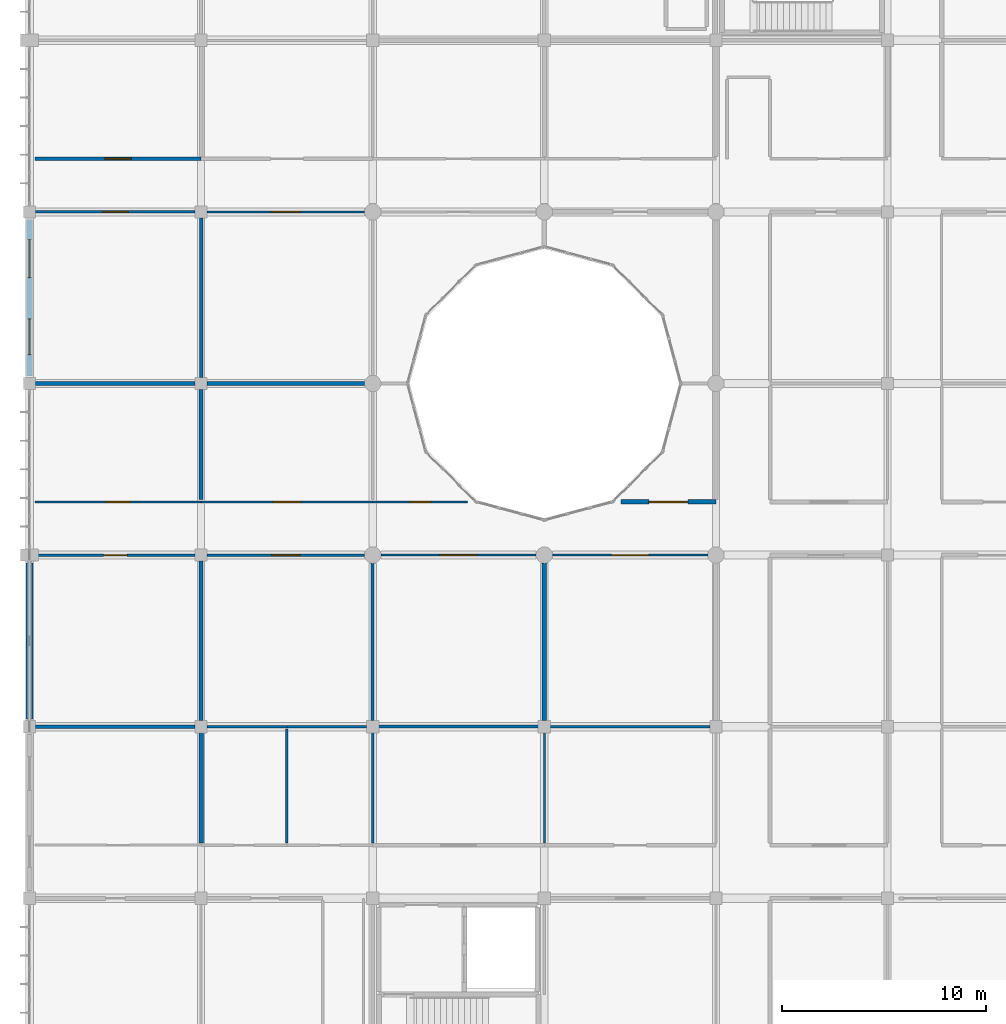
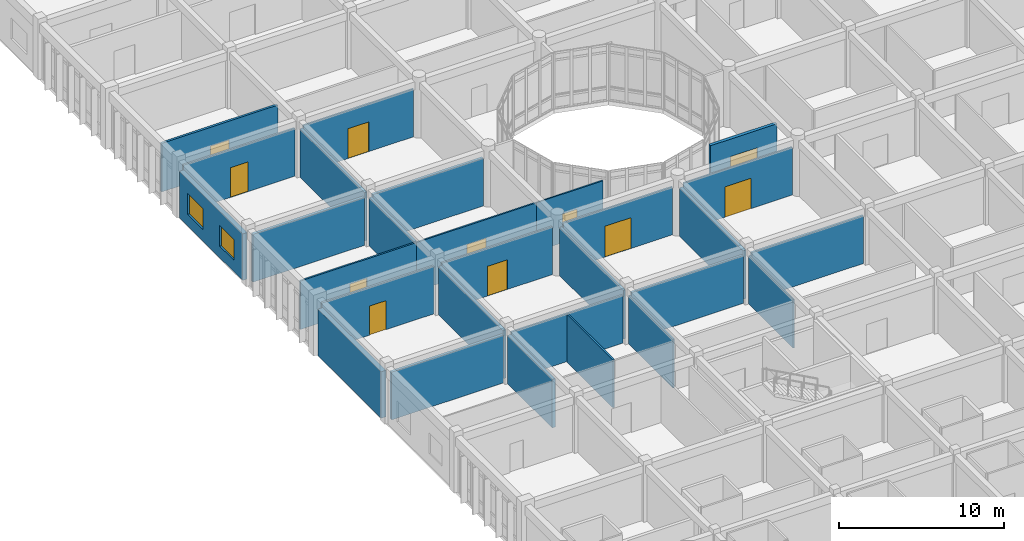
# One storey, part 106 of 144: 29 walls, 11 doors, 2 windows, 13 openings.
"""IFC4 building model written with IfcOpenShell, lengths in metres."""

from ifc_helpers import new_model, si_unit, direction, frame, frame_2d, origin, place, context, subcontext, project, spatial, rectangle, extrude, material, layer, layer_set, type_object, element, fill, save


model = new_model("IFC4")

# Units and contexts
model_context = context("Model", 3, precision=1e-05, world=origin(), true_north=direction((0.0, 1.0)))
body_context = subcontext(model_context, "Body", "Model", "MODEL_VIEW")
ifc_project = project(units=[si_unit("LENGTHUNIT", "METRE"), si_unit("AREAUNIT", "SQUARE_METRE"), si_unit("VOLUMEUNIT", "CUBIC_METRE"), si_unit("PLANEANGLEUNIT", "RADIAN"), si_unit("MASSUNIT", "GRAM", prefix="KILO")], contexts=[model_context])

# Site, building, storey
site_placement = place(None, origin())
site = spatial("IfcSite", under=ifc_project, at=site_placement, CompositionType="ELEMENT")
building_placement = place(site_placement, origin())
building = spatial("IfcBuilding", under=site, at=building_placement, Name="Bramfleet General Hospital", CompositionType="ELEMENT")
storey_placement = place(building_placement, frame((0.0, 0.0, 4.800048828125)))
storey = spatial("IfcBuildingStorey", under=building, at=storey_placement, Name="L01", CompositionType="ELEMENT", Elevation=4.800048828125)

# Wall
ifc_material_1 = material(Name="Precast concrete C40/50", Category="concrete")
ifc_layer_1 = layer(ifc_material_1, 0.3349609375, Name="WT-EW-03")
ifc_layer_set_1 = layer_set([ifc_layer_1], Name="Precast concrete C40/50")
wall_type_1 = type_object("IfcWallType", Name="WT-EW-03", PredefinedType="SOLIDWALL", material=ifc_layer_set_1)
wall_1_placement = place(storey_placement, frame((0.0, 67.574951171875, 0.0), z_axis=(0.0, 0.0, 1.0), x_axis=(0.0, 1.0, 0.0)))
element("IfcWall", 1, at=wall_1_placement, inside=storey, type_object=wall_type_1, Name="L01 Exterior Wall 155", PredefinedType="SOLIDWALL", context=body_context, shape_type="SweptSolid", body=[
    extrude(rectangle(XDim=7.650146484375, YDim=0.3349609375, at=frame_2d((3.8251953125, 0.0))), origin(), (0.0, 0.0, 1.0), 3.43994140625),
])

# Wall, openings, windows
ifc_layer_2 = layer(ifc_material_1, 0.31494140625, Name="WT-EW-04")
ifc_layer_set_2 = layer_set([ifc_layer_2], Name="Precast concrete C40/50")
wall_type_2 = type_object("IfcWallType", Name="WT-EW-04", PredefinedType="SOLIDWALL", material=ifc_layer_set_2)
wall_2_placement = place(storey_placement, frame((0.0, 84.375, 0.0), z_axis=(0.0, 0.0, 1.0), x_axis=(0.0, 1.0, 0.0)))
wall_2 = element("IfcWall", 2, at=wall_2_placement, inside=storey, type_object=wall_type_2, Name="L01 Exterior Wall 156", PredefinedType="SOLIDWALL", context=body_context, shape_type="SweptSolid", body=[
    extrude(rectangle(XDim=7.64990234375, YDim=0.31494140625, at=frame_2d((3.824951171875, 0.0))), origin(), (0.0, 0.0, 1.0), 3.43994140625),
])
opening_1_placement = place(wall_2_placement, frame((1.03759765625, 0.0, 0.85009765625)))
opening_1 = element("IfcOpeningElement", 3, at=opening_1_placement, cuts=wall_2, Name="Opening W-28", PredefinedType="OPENING", context=body_context, shape_type="SweptSolid", body=[
    extrude(rectangle(XDim=1.75, YDim=1.5400390625, at=frame_2d((0.875, 0.77001953125))), frame((0.0, 0.16748046875, 0.0), z_axis=(0.0, -1.0, 0.0), x_axis=(1.0, 0.0, 0.0)), (0.0, 0.0, 1.0), 0.3349609375),
])
opening_2_placement = place(wall_2_placement, frame((4.8125, 0.0, 0.85009765625)))
opening_2 = element("IfcOpeningElement", 4, at=opening_2_placement, cuts=wall_2, Name="Opening W-29", PredefinedType="OPENING", context=body_context, shape_type="SweptSolid", body=[
    extrude(rectangle(XDim=1.85009765625, YDim=1.5400390625, at=frame_2d((0.925048828125, 0.77001953125))), frame((0.0, 0.16748046875, 0.0), z_axis=(0.0, -1.0, 0.0), x_axis=(1.0, 0.0, 0.0)), (0.0, 0.0, 1.0), 0.3349609375),
])
ifc_material_2 = material(Name="Anodised aluminium and low-E triple glazing", Category="aluminium")
window_type_1 = type_object("IfcWindowType", Name="WIN-W-28", PartitioningType="SINGLE_PANEL", PredefinedType="WINDOW", material=ifc_material_2)
window_1_placement = place(opening_1_placement, origin())
window_1 = element("IfcWindow", 5, at=window_1_placement, inside=storey, type_object=window_type_1, Name="L01 Facade Window WIN-L01-156-1", OverallHeight=1.5400390625, OverallWidth=1.75, PartitioningType="SINGLE_PANEL", PredefinedType="WINDOW", context=body_context, shape_type="SweptSolid", body=[
    extrude(rectangle(XDim=1.75, YDim=1.5400390625, at=frame_2d((0.875, 0.77001953125))), frame((0.0, 0.030029296875, 0.0), z_axis=(0.0, -1.0, 0.0), x_axis=(1.0, 0.0, 0.0)), (0.0, 0.0, 1.0), 0.06005859375),
])
fill(opening_1, window_1)
window_type_2 = type_object("IfcWindowType", Name="WIN-W-29", PartitioningType="SINGLE_PANEL", PredefinedType="WINDOW", material=ifc_material_2)
window_2_placement = place(opening_2_placement, origin())
window_2 = element("IfcWindow", 6, at=window_2_placement, inside=storey, type_object=window_type_2, Name="L01 Facade Window WIN-L01-156-2", OverallHeight=1.5400390625, OverallWidth=1.85009765625, PartitioningType="SINGLE_PANEL", PredefinedType="WINDOW", context=body_context, shape_type="SweptSolid", body=[
    extrude(rectangle(XDim=1.85009765625, YDim=1.5400390625, at=frame_2d((0.925048828125, 0.77001953125))), frame((0.0, 0.030029296875, 0.0), z_axis=(0.0, -1.0, 0.0), x_axis=(1.0, 0.0, 0.0)), (0.0, 0.0, 1.0), 0.06005859375),
])
fill(opening_2, window_2)

# Wall, opening, door
ifc_material_3 = material(Name="Concrete C35/45", Category="concrete")
ifc_layer_3 = layer(ifc_material_3, 0.219970703125, Name="WT-IW-01")
ifc_layer_set_3 = layer_set([ifc_layer_3], Name="Concrete C35/45")
wall_type_3 = type_object("IfcWallType", Name="WT-IW-01", PredefinedType="PARTITIONING", material=ifc_layer_set_3)
wall_3_placement = place(storey_placement, frame((28.947998046875, 78.199951171875, 0.0), z_axis=(0.0, 0.0, 1.0), x_axis=(1.0, 0.0, 0.0)))
wall_3 = element("IfcWall", 7, at=wall_3_placement, inside=storey, type_object=wall_type_3, Name="L01 Interior Partition IW-L01-1441", PredefinedType="PARTITIONING", context=body_context, shape_type="SweptSolid", body=[
    extrude(rectangle(XDim=4.652099609375, YDim=0.219970703125, at=frame_2d((2.326171875, 0.0))), origin(), (0.0, 0.0, 1.0), 3.58984375),
])
opening_3_placement = place(wall_3_placement, frame((1.3759765625, 0.0, 0.0)))
opening_3 = element("IfcOpeningElement", 8, at=opening_3_placement, cuts=wall_3, Name="Opening D0678", PredefinedType="OPENING", context=body_context, shape_type="SweptSolid", body=[
    extrude(rectangle(XDim=1.89990234375, YDim=2.300048828125, at=frame_2d((0.949951171875, 1.14990234375))), frame((0.0, 0.119873046875, 0.0), z_axis=(0.0, -1.0, 0.0), x_axis=(1.0, 0.0, 0.0)), (0.0, 0.0, 1.0), 0.239990234375),
])
ifc_material_4 = material(Name="Stainless steel and acoustic timber leaf", Category="steel")
door_type_1 = type_object("IfcDoorType", Name="DR-D-06", OperationType="NOTDEFINED", PredefinedType="DOOR", material=ifc_material_4)
door_1_placement = place(opening_3_placement, origin())
door_1 = element("IfcDoor", 9, at=door_1_placement, inside=storey, type_object=door_type_1, Name="Courtyard Waiting Lounge L01-0309 Door D0678", OperationType="DOUBLE_SWING_LEFT", OverallHeight=2.300048828125, OverallWidth=1.89990234375, PredefinedType="DOOR", context=body_context, shape_type="SweptSolid", body=[
    extrude(rectangle(XDim=1.89990234375, YDim=2.300048828125, at=frame_2d((0.949951171875, 1.14990234375))), frame((0.0, 0.02490234375, 0.0), z_axis=(0.0, -1.0, 0.0), x_axis=(1.0, 0.0, 0.0)), (0.0, 0.0, 1.0), 0.050048828125),
])
fill(opening_3, door_1)

# Walls
wall_4_placement = place(storey_placement, frame((8.39990234375, 61.514892578125, 0.0), z_axis=(0.0, 0.0, 1.0), x_axis=(0.0, 1.0, 0.0)))
element("IfcWall", 10, at=wall_4_placement, inside=storey, type_object=wall_type_3, Name="L01 Interior Partition IW-L01-1597", PredefinedType="PARTITIONING", context=body_context, shape_type="SweptSolid", body=[
    extrude(rectangle(XDim=5.39013671875, YDim=0.219970703125, at=frame_2d((2.695068359375, 0.0))), origin(), (0.0, 0.0, 1.0), 3.58984375),
])
wall_5_placement = place(storey_placement, frame((25.199951171875, 67.4951171875, 0.0), z_axis=(0.0, 0.0, 1.0), x_axis=(0.0, 1.0, 0.0)))
element("IfcWall", 11, at=wall_5_placement, inside=storey, type_object=wall_type_3, Name="L01 Interior Partition IW-L01-1657", PredefinedType="PARTITIONING", context=body_context, shape_type="SweptSolid", body=[
    extrude(rectangle(XDim=7.7099609375, YDim=0.219970703125, at=frame_2d((3.85498046875, 0.0))), origin(), (0.0, 0.0, 1.0), 3.58984375),
])
ifc_layer_4 = layer(ifc_material_3, 0.205078125, Name="WT-IW-02")
ifc_layer_set_4 = layer_set([ifc_layer_4], Name="Concrete C35/45")
wall_type_4 = type_object("IfcWallType", Name="WT-IW-02", PredefinedType="PARTITIONING", material=ifc_layer_set_4)
wall_6_placement = place(storey_placement, frame((8.39990234375, 67.4951171875, 0.0), z_axis=(0.0, 0.0, 1.0), x_axis=(0.0, 1.0, 0.0)))
element("IfcWall", 12, at=wall_6_placement, inside=storey, type_object=wall_type_4, Name="L01 Interior Partition IW-L01-1598", PredefinedType="PARTITIONING", context=body_context, shape_type="SweptSolid", body=[
    extrude(rectangle(XDim=7.809814453125, YDim=0.205078125, at=frame_2d((3.90478515625, 0.0))), origin(), (0.0, 0.0, 1.0), 3.58984375),
])
ifc_layer_5 = layer(ifc_material_3, 0.18994140625, Name="WT-IW-03")
ifc_layer_set_5 = layer_set([ifc_layer_5], Name="Concrete C35/45")
wall_type_5 = type_object("IfcWallType", Name="WT-IW-03", PredefinedType="PARTITIONING", material=ifc_layer_set_5)
wall_7_placement = place(storey_placement, frame((0.294921875, 84.0, 0.0), z_axis=(0.0, 0.0, 1.0), x_axis=(1.0, 0.0, 0.0)))
element("IfcWall", 13, at=wall_7_placement, inside=storey, type_object=wall_type_5, Name="L01 Interior Partition IW-L01-1455", PredefinedType="PARTITIONING", context=body_context, shape_type="SweptSolid", body=[
    extrude(rectangle(XDim=7.81005859375, YDim=0.18994140625, at=frame_2d((3.905029296875, 0.0))), origin(), (0.0, 0.0, 1.0), 3.5400390625),
])
wall_8_placement = place(storey_placement, frame((8.39990234375, 78.31494140625, 0.0), z_axis=(0.0, 0.0, 1.0), x_axis=(0.0, 1.0, 0.0)))
element("IfcWall", 14, at=wall_8_placement, inside=storey, type_object=wall_type_5, Name="L01 Interior Partition IW-L01-1599", PredefinedType="PARTITIONING", context=body_context, shape_type="SweptSolid", body=[
    extrude(rectangle(XDim=5.39013671875, YDim=0.18994140625, at=frame_2d((2.695068359375, 0.0))), origin(), (0.0, 0.0, 1.0), 3.58984375),
])
ifc_layer_6 = layer(ifc_material_3, 0.179931640625, Name="WT-IW-04")
ifc_layer_set_6 = layer_set([ifc_layer_6], Name="Concrete C35/45")
wall_type_6 = type_object("IfcWallType", Name="WT-IW-04", PredefinedType="PARTITIONING", material=ifc_layer_set_6)
wall_9_placement = place(storey_placement, frame((0.294921875, 67.199951171875, 0.0), z_axis=(0.0, 0.0, 1.0), x_axis=(1.0, 0.0, 0.0)))
element("IfcWall", 15, at=wall_9_placement, inside=storey, type_object=wall_type_6, Name="L01 Interior Partition IW-L01-1408", PredefinedType="PARTITIONING", context=body_context, shape_type="SweptSolid", body=[
    extrude(rectangle(XDim=7.81005859375, YDim=0.179931640625, at=frame_2d((3.905029296875, 0.0))), origin(), (0.0, 0.0, 1.0), 3.5400390625),
])
wall_10_placement = place(storey_placement, frame((8.695068359375, 84.0, 0.0), z_axis=(0.0, 0.0, 1.0), x_axis=(1.0, 0.0, 0.0)))
element("IfcWall", 16, at=wall_10_placement, inside=storey, type_object=wall_type_6, Name="L01 Interior Partition IW-L01-1456", PredefinedType="PARTITIONING", context=body_context, shape_type="SweptSolid", body=[
    extrude(rectangle(XDim=7.7099609375, YDim=0.179931640625, at=frame_2d((3.85498046875, 0.0))), origin(), (0.0, 0.0, 1.0), 3.5400390625),
])
wall_11_placement = place(storey_placement, frame((8.39990234375, 84.294921875, 0.0), z_axis=(0.0, 0.0, 1.0), x_axis=(0.0, 1.0, 0.0)))
element("IfcWall", 17, at=wall_11_placement, inside=storey, type_object=wall_type_6, Name="L01 Interior Partition IW-L01-1600", PredefinedType="PARTITIONING", context=body_context, shape_type="SweptSolid", body=[
    extrude(rectangle(XDim=7.81005859375, YDim=0.179931640625, at=frame_2d((3.905029296875, 0.0))), origin(), (0.0, 0.0, 1.0), 3.58984375),
])

# Wall, opening, door
ifc_material_5 = material(Name="Gypsum plasterboard on acoustic steel studs", Category="steel")
ifc_layer_7 = layer(ifc_material_5, 0.159912109375, Name="WT-IW-06")
ifc_layer_set_7 = layer_set([ifc_layer_7], Name="Gypsum plasterboard on acoustic steel studs")
wall_type_7 = type_object("IfcWallType", Name="WT-IW-06", PredefinedType="PARTITIONING", material=ifc_layer_set_7)
wall_12_placement = place(storey_placement, frame((0.280029296875, 95.0, 0.0), z_axis=(0.0, 0.0, 1.0), x_axis=(1.0, 0.0, 0.0)))
wall_12 = element("IfcWall", 18, at=wall_12_placement, inside=storey, type_object=wall_type_7, Name="L01 Interior Partition IW-L01-1494", PredefinedType="PARTITIONING", context=body_context, shape_type="SweptSolid", body=[
    extrude(rectangle(XDim=8.119873046875, YDim=0.159912109375, at=frame_2d((4.06005859375, 0.0))), origin(), (0.0, 0.0, 1.0), 3.58984375),
])
opening_4_placement = place(wall_12_placement, frame((3.409912109375, 0.0, 0.0)))
opening_4 = element("IfcOpeningElement", 19, at=opening_4_placement, cuts=wall_12, Name="Opening D0623", PredefinedType="OPENING", context=body_context, shape_type="SweptSolid", body=[
    extrude(rectangle(XDim=1.300048828125, YDim=2.199951171875, at=frame_2d((0.64990234375, 1.10009765625))), frame((0.0, 0.08984375, 0.0), z_axis=(0.0, -1.0, 0.0), x_axis=(1.0, 0.0, 0.0)), (0.0, 0.0, 1.0), 0.179931640625),
])
door_type_2 = type_object("IfcDoorType", Name="DR-D-15", OperationType="NOTDEFINED", PredefinedType="DOOR", material=ifc_material_4)
door_2_placement = place(opening_4_placement, origin())
door_2 = element("IfcDoor", 20, at=door_2_placement, inside=storey, type_object=door_type_2, Name="Endoscopy and Day Surgery Procedure Room L01-0011 Door D0623", OperationType="SINGLE_SWING_RIGHT", OverallHeight=2.199951171875, OverallWidth=1.300048828125, PredefinedType="DOOR", context=body_context, shape_type="SweptSolid", body=[
    extrude(rectangle(XDim=1.300048828125, YDim=2.199951171875, at=frame_2d((0.64990234375, 1.10009765625))), frame((0.0, 0.02490234375, 0.0), z_axis=(0.0, -1.0, 0.0), x_axis=(1.0, 0.0, 0.0)), (0.0, 0.0, 1.0), 0.050048828125),
])
fill(opening_4, door_2)

# Walls
ifc_layer_8 = layer(ifc_material_5, 0.14990234375, Name="WT-IW-07")
ifc_layer_set_8 = layer_set([ifc_layer_8], Name="Gypsum plasterboard on acoustic steel studs")
wall_type_8 = type_object("IfcWallType", Name="WT-IW-07", PredefinedType="PARTITIONING", material=ifc_layer_set_8)
wall_13_placement = place(storey_placement, frame((17.094970703125, 67.199951171875, 0.0), z_axis=(0.0, 0.0, 1.0), x_axis=(1.0, 0.0, 0.0)))
element("IfcWall", 21, at=wall_13_placement, inside=storey, type_object=wall_type_8, Name="L01 Interior Partition IW-L01-1411", PredefinedType="PARTITIONING", context=body_context, shape_type="SweptSolid", body=[
    extrude(rectangle(XDim=7.81005859375, YDim=0.14990234375, at=frame_2d((3.905029296875, 0.0))), origin(), (0.0, 0.0, 1.0), 3.5400390625),
])
wall_14_placement = place(storey_placement, frame((16.800048828125, 67.4951171875, 0.0), z_axis=(0.0, 0.0, 1.0), x_axis=(0.0, 1.0, 0.0)))
element("IfcWall", 22, at=wall_14_placement, inside=storey, type_object=wall_type_8, Name="L01 Interior Partition IW-L01-1627", PredefinedType="PARTITIONING", context=body_context, shape_type="SweptSolid", body=[
    extrude(rectangle(XDim=7.7099609375, YDim=0.14990234375, at=frame_2d((3.85498046875, 0.0))), origin(), (0.0, 0.0, 1.0), 3.58984375),
])
ifc_layer_9 = layer(ifc_material_5, 0.139892578125, Name="WT-IW-08")
ifc_layer_set_9 = layer_set([ifc_layer_9], Name="Gypsum plasterboard on acoustic steel studs")
wall_type_9 = type_object("IfcWallType", Name="WT-IW-08", PredefinedType="PARTITIONING", material=ifc_layer_set_9)
wall_15_placement = place(storey_placement, frame((25.4951171875, 67.199951171875, 0.0), z_axis=(0.0, 0.0, 1.0), x_axis=(1.0, 0.0, 0.0)))
element("IfcWall", 23, at=wall_15_placement, inside=storey, type_object=wall_type_9, Name="L01 Interior Partition IW-L01-1412", PredefinedType="PARTITIONING", context=body_context, shape_type="SweptSolid", body=[
    extrude(rectangle(XDim=7.809814453125, YDim=0.139892578125, at=frame_2d((3.90478515625, 0.0))), origin(), (0.0, 0.0, 1.0), 3.5400390625),
])

# Wall, opening, door
ifc_layer_10 = layer(ifc_material_5, 0.1298828125, Name="WT-IW-09")
ifc_layer_set_10 = layer_set([ifc_layer_10], Name="Gypsum plasterboard on acoustic steel studs")
wall_type_10 = type_object("IfcWallType", Name="WT-IW-09", PredefinedType="PARTITIONING", material=ifc_layer_set_10)
wall_16_placement = place(storey_placement, frame((0.294921875, 75.60009765625, 0.0), z_axis=(0.0, 0.0, 1.0), x_axis=(1.0, 0.0, 0.0)))
wall_16 = element("IfcWall", 24, at=wall_16_placement, inside=storey, type_object=wall_type_10, Name="L01 Interior Partition IW-L01-1425", PredefinedType="PARTITIONING", context=body_context, shape_type="SweptSolid", body=[
    extrude(rectangle(XDim=7.81005859375, YDim=0.1298828125, at=frame_2d((3.905029296875, 0.0))), origin(), (0.0, 0.0, 1.0), 3.5400390625),
])
opening_5_placement = place(wall_16_placement, frame((3.330078125, 0.0, 0.0)))
opening_5 = element("IfcOpeningElement", 25, at=opening_5_placement, cuts=wall_16, Name="Opening D0620", PredefinedType="OPENING", context=body_context, shape_type="SweptSolid", body=[
    extrude(rectangle(XDim=1.14990234375, YDim=2.14990234375, at=frame_2d((0.574951171875, 1.074951171875))), frame((0.0, 0.074951171875, 0.0), z_axis=(0.0, -1.0, 0.0), x_axis=(1.0, 0.0, 0.0)), (0.0, 0.0, 1.0), 0.14990234375),
])
door_type_3 = type_object("IfcDoorType", Name="DR-D-12", OperationType="NOTDEFINED", PredefinedType="DOOR", material=ifc_material_4)
door_3_placement = place(opening_5_placement, origin())
door_3 = element("IfcDoor", 26, at=door_3_placement, inside=storey, type_object=door_type_3, Name="Endoscopy and Day Surgery Procedure Room L01-0008 Door D0620", OperationType="SINGLE_SWING_LEFT", OverallHeight=2.14990234375, OverallWidth=1.14990234375, PredefinedType="DOOR", context=body_context, shape_type="SweptSolid", body=[
    extrude(rectangle(XDim=1.14990234375, YDim=2.14990234375, at=frame_2d((0.574951171875, 1.074951171875))), frame((0.0, 0.02490234375, 0.0), z_axis=(0.0, -1.0, 0.0), x_axis=(1.0, 0.0, 0.0)), (0.0, 0.0, 1.0), 0.050048828125),
])
fill(opening_5, door_3)

# Walls
ifc_layer_11 = layer(ifc_material_5, 0.1201171875, Name="WT-IW-10")
ifc_layer_set_11 = layer_set([ifc_layer_11], Name="Gypsum plasterboard on acoustic steel studs")
wall_type_11 = type_object("IfcWallType", Name="WT-IW-10", PredefinedType="PARTITIONING", material=ifc_layer_set_11)
wall_17_placement = place(storey_placement, frame((8.695068359375, 67.199951171875, 0.0), z_axis=(0.0, 0.0, 1.0), x_axis=(1.0, 0.0, 0.0)))
element("IfcWall", 27, at=wall_17_placement, inside=storey, type_object=wall_type_11, Name="L01 Interior Partition IW-L01-1409", PredefinedType="PARTITIONING", context=body_context, shape_type="SweptSolid", body=[
    extrude(rectangle(XDim=3.905029296875, YDim=0.1201171875, at=frame_2d((1.95263671875, 0.0))), origin(), (0.0, 0.0, 1.0), 3.5400390625),
])
wall_18_placement = place(storey_placement, frame((12.60009765625, 67.199951171875, 0.0), z_axis=(0.0, 0.0, 1.0), x_axis=(1.0, 0.0, 0.0)))
element("IfcWall", 28, at=wall_18_placement, inside=storey, type_object=wall_type_11, Name="L01 Interior Partition IW-L01-1410", PredefinedType="PARTITIONING", context=body_context, shape_type="SweptSolid", body=[
    extrude(rectangle(XDim=3.90478515625, YDim=0.1201171875, at=frame_2d((1.952392578125, 0.0))), origin(), (0.0, 0.0, 1.0), 3.5400390625),
])

# Wall, opening, door
wall_19_placement = place(storey_placement, frame((8.695068359375, 75.60009765625, 0.0), z_axis=(0.0, 0.0, 1.0), x_axis=(1.0, 0.0, 0.0)))
wall_19 = element("IfcWall", 29, at=wall_19_placement, inside=storey, type_object=wall_type_11, Name="L01 Interior Partition IW-L01-1426", PredefinedType="PARTITIONING", context=body_context, shape_type="SweptSolid", body=[
    extrude(rectangle(XDim=7.7099609375, YDim=0.1201171875, at=frame_2d((3.85498046875, 0.0))), origin(), (0.0, 0.0, 1.0), 3.5400390625),
])
opening_6_placement = place(wall_19_placement, frame((3.155029296875, 0.0, 0.0)))
opening_6 = element("IfcOpeningElement", 30, at=opening_6_placement, cuts=wall_19, Name="Opening D0641", PredefinedType="OPENING", context=body_context, shape_type="SweptSolid", body=[
    extrude(rectangle(XDim=1.39990234375, YDim=2.199951171875, at=frame_2d((0.699951171875, 1.10009765625))), frame((0.0, 0.070068359375, 0.0), z_axis=(0.0, -1.0, 0.0), x_axis=(1.0, 0.0, 0.0)), (0.0, 0.0, 1.0), 0.14013671875),
])
door_type_4 = type_object("IfcDoorType", Name="DR-D-01", OperationType="NOTDEFINED", PredefinedType="DOOR", material=ifc_material_4)
door_4_placement = place(opening_6_placement, origin())
door_4 = element("IfcDoor", 31, at=door_4_placement, inside=storey, type_object=door_type_4, Name="Endoscopy and Day Surgery Procedure Room L01-0108 Door D0641", OperationType="SINGLE_SWING_RIGHT", OverallHeight=2.199951171875, OverallWidth=1.39990234375, PredefinedType="DOOR", context=body_context, shape_type="SweptSolid", body=[
    extrude(rectangle(XDim=1.39990234375, YDim=2.199951171875, at=frame_2d((0.699951171875, 1.10009765625))), frame((0.0, 0.02490234375, 0.0), z_axis=(0.0, -1.0, 0.0), x_axis=(1.0, 0.0, 0.0)), (0.0, 0.0, 1.0), 0.050048828125),
])
fill(opening_6, door_4)

wall_20_placement = place(storey_placement, frame((0.280029296875, 78.199951171875, 0.0), z_axis=(0.0, 0.0, 1.0), x_axis=(1.0, 0.0, 0.0)))
wall_20 = element("IfcWall", 32, at=wall_20_placement, inside=storey, type_object=wall_type_11, Name="L01 Interior Partition IW-L01-1438", PredefinedType="PARTITIONING", context=body_context, shape_type="SweptSolid", body=[
    extrude(rectangle(XDim=8.119873046875, YDim=0.1201171875, at=frame_2d((4.06005859375, 0.0))), origin(), (0.0, 0.0, 1.0), 3.58984375),
])
opening_7_placement = place(wall_20_placement, frame((3.4599609375, 0.0, 0.0)))
opening_7 = element("IfcOpeningElement", 33, at=opening_7_placement, cuts=wall_20, Name="Opening D0621", PredefinedType="OPENING", context=body_context, shape_type="SweptSolid", body=[
    extrude(rectangle(XDim=1.199951171875, YDim=2.14990234375, at=frame_2d((0.60009765625, 1.074951171875))), frame((0.0, 0.070068359375, 0.0), z_axis=(0.0, -1.0, 0.0), x_axis=(1.0, 0.0, 0.0)), (0.0, 0.0, 1.0), 0.14013671875),
])
door_type_5 = type_object("IfcDoorType", Name="DR-D-13", OperationType="NOTDEFINED", PredefinedType="DOOR", material=ifc_material_4)
door_5_placement = place(opening_7_placement, origin())
door_5 = element("IfcDoor", 34, at=door_5_placement, inside=storey, type_object=door_type_5, Name="Endoscopy and Day Surgery Procedure Room L01-0009 Door D0621", OperationType="SINGLE_SWING_RIGHT", OverallHeight=2.14990234375, OverallWidth=1.199951171875, PredefinedType="DOOR", context=body_context, shape_type="SweptSolid", body=[
    extrude(rectangle(XDim=1.199951171875, YDim=2.14990234375, at=frame_2d((0.60009765625, 1.074951171875))), frame((0.0, 0.02490234375, 0.0), z_axis=(0.0, -1.0, 0.0), x_axis=(1.0, 0.0, 0.0)), (0.0, 0.0, 1.0), 0.050048828125),
])
fill(opening_7, door_5)

wall_21_placement = place(storey_placement, frame((0.294921875, 92.39990234375, 0.0), z_axis=(0.0, 0.0, 1.0), x_axis=(1.0, 0.0, 0.0)))
wall_21 = element("IfcWall", 35, at=wall_21_placement, inside=storey, type_object=wall_type_11, Name="L01 Interior Partition IW-L01-1474", PredefinedType="PARTITIONING", context=body_context, shape_type="SweptSolid", body=[
    extrude(rectangle(XDim=7.81005859375, YDim=0.1201171875, at=frame_2d((3.905029296875, 0.0))), origin(), (0.0, 0.0, 1.0), 3.5400390625),
])
opening_8_placement = place(wall_21_placement, frame((3.280029296875, 0.0, 0.0)))
opening_8 = element("IfcOpeningElement", 36, at=opening_8_placement, cuts=wall_21, Name="Opening D0622", PredefinedType="OPENING", context=body_context, shape_type="SweptSolid", body=[
    extrude(rectangle(XDim=1.25, YDim=2.199951171875, at=frame_2d((0.625, 1.10009765625))), frame((0.0, 0.070068359375, 0.0), z_axis=(0.0, -1.0, 0.0), x_axis=(1.0, 0.0, 0.0)), (0.0, 0.0, 1.0), 0.14013671875),
])
door_type_6 = type_object("IfcDoorType", Name="DR-D-14", OperationType="NOTDEFINED", PredefinedType="DOOR", material=ifc_material_4)
door_6_placement = place(opening_8_placement, origin())
door_6 = element("IfcDoor", 37, at=door_6_placement, inside=storey, type_object=door_type_6, Name="Endoscopy and Day Surgery Procedure Room L01-0010 Door D0622", OperationType="SINGLE_SWING_LEFT", OverallHeight=2.199951171875, OverallWidth=1.25, PredefinedType="DOOR", context=body_context, shape_type="SweptSolid", body=[
    extrude(rectangle(XDim=1.25, YDim=2.199951171875, at=frame_2d((0.625, 1.10009765625))), frame((0.0, 0.02490234375, 0.0), z_axis=(0.0, -1.0, 0.0), x_axis=(1.0, 0.0, 0.0)), (0.0, 0.0, 1.0), 0.050048828125),
])
fill(opening_8, door_6)

# Walls
wall_22_placement = place(storey_placement, frame((12.60009765625, 61.514892578125, 0.0), z_axis=(0.0, 0.0, 1.0), x_axis=(0.0, 1.0, 0.0)))
element("IfcWall", 38, at=wall_22_placement, inside=storey, type_object=wall_type_11, Name="L01 Interior Partition IW-L01-1616", PredefinedType="PARTITIONING", context=body_context, shape_type="SweptSolid", body=[
    extrude(rectangle(XDim=5.570068359375, YDim=0.1201171875, at=frame_2d((2.78515625, 0.0))), origin(), (0.0, 0.0, 1.0), 3.5400390625),
])
wall_23_placement = place(storey_placement, frame((16.800048828125, 61.514892578125, 0.0), z_axis=(0.0, 0.0, 1.0), x_axis=(0.0, 1.0, 0.0)))
element("IfcWall", 39, at=wall_23_placement, inside=storey, type_object=wall_type_11, Name="L01 Interior Partition IW-L01-1626", PredefinedType="PARTITIONING", context=body_context, shape_type="SweptSolid", body=[
    extrude(rectangle(XDim=5.39013671875, YDim=0.1201171875, at=frame_2d((2.695068359375, 0.0))), origin(), (0.0, 0.0, 1.0), 3.58984375),
])

# Wall, opening, door
ifc_layer_12 = layer(ifc_material_5, 0.112060546875, Name="WT-IW-11")
ifc_layer_set_12 = layer_set([ifc_layer_12], Name="Gypsum plasterboard on acoustic steel studs")
wall_type_12 = type_object("IfcWallType", Name="WT-IW-11", PredefinedType="PARTITIONING", material=ifc_layer_set_12)
wall_24_placement = place(storey_placement, frame((17.195068359375, 75.60009765625, 0.0), z_axis=(0.0, 0.0, 1.0), x_axis=(1.0, 0.0, 0.0)))
wall_24 = element("IfcWall", 40, at=wall_24_placement, inside=storey, type_object=wall_type_12, Name="L01 Interior Partition IW-L01-1427", PredefinedType="PARTITIONING", context=body_context, shape_type="SweptSolid", body=[
    extrude(rectangle(XDim=7.60986328125, YDim=0.112060546875, at=frame_2d((3.804931640625, 0.0))), origin(), (0.0, 0.0, 1.0), 3.5400390625),
])
opening_9_placement = place(wall_24_placement, frame((2.885009765625, 0.0, 0.0)))
opening_9 = element("IfcOpeningElement", 41, at=opening_9_placement, cuts=wall_24, Name="Opening D0660", PredefinedType="OPENING", context=body_context, shape_type="SweptSolid", body=[
    extrude(rectangle(XDim=1.840087890625, YDim=2.280029296875, at=frame_2d((0.919921875, 1.14013671875))), frame((0.0, 0.06591796875, 0.0), z_axis=(0.0, -1.0, 0.0), x_axis=(1.0, 0.0, 0.0)), (0.0, 0.0, 1.0), 0.132080078125),
])
door_type_7 = type_object("IfcDoorType", Name="DR-D-20", OperationType="NOTDEFINED", PredefinedType="DOOR", material=ifc_material_4)
door_7_placement = place(opening_9_placement, origin())
door_7 = element("IfcDoor", 42, at=door_7_placement, inside=storey, type_object=door_type_7, Name="Endoscopy and Day Surgery Procedure Room L01-0208 Door D0660", OperationType="DOUBLE_SWING_LEFT", OverallHeight=2.280029296875, OverallWidth=1.840087890625, PredefinedType="DOOR", context=body_context, shape_type="SweptSolid", body=[
    extrude(rectangle(XDim=1.840087890625, YDim=2.280029296875, at=frame_2d((0.919921875, 1.14013671875))), frame((0.0, 0.02490234375, 0.0), z_axis=(0.0, -1.0, 0.0), x_axis=(1.0, 0.0, 0.0)), (0.0, 0.0, 1.0), 0.050048828125),
])
fill(opening_9, door_7)

wall_25_placement = place(storey_placement, frame((8.39990234375, 78.199951171875, 0.0), z_axis=(0.0, 0.0, 1.0), x_axis=(1.0, 0.0, 0.0)))
wall_25 = element("IfcWall", 43, at=wall_25_placement, inside=storey, type_object=wall_type_12, Name="L01 Interior Partition IW-L01-1439", PredefinedType="PARTITIONING", context=body_context, shape_type="SweptSolid", body=[
    extrude(rectangle(XDim=8.400146484375, YDim=0.112060546875, at=frame_2d((4.2001953125, 0.0))), origin(), (0.0, 0.0, 1.0), 3.58984375),
])
opening_10_placement = place(wall_25_placement, frame((3.52490234375, 0.0, 0.0)))
opening_10 = element("IfcOpeningElement", 44, at=opening_10_placement, cuts=wall_25, Name="Opening D0642", PredefinedType="OPENING", context=body_context, shape_type="SweptSolid", body=[
    extrude(rectangle(XDim=1.35009765625, YDim=2.199951171875, at=frame_2d((0.675048828125, 1.10009765625))), frame((0.0, 0.06591796875, 0.0), z_axis=(0.0, -1.0, 0.0), x_axis=(1.0, 0.0, 0.0)), (0.0, 0.0, 1.0), 0.132080078125),
])
door_type_8 = type_object("IfcDoorType", Name="DR-D-02", OperationType="NOTDEFINED", PredefinedType="DOOR", material=ifc_material_4)
door_8_placement = place(opening_10_placement, origin())
door_8 = element("IfcDoor", 45, at=door_8_placement, inside=storey, type_object=door_type_8, Name="Endoscopy and Day Surgery Procedure Room L01-0109 Door D0642", OperationType="SINGLE_SWING_LEFT", OverallHeight=2.199951171875, OverallWidth=1.35009765625, PredefinedType="DOOR", context=body_context, shape_type="SweptSolid", body=[
    extrude(rectangle(XDim=1.35009765625, YDim=2.199951171875, at=frame_2d((0.675048828125, 1.10009765625))), frame((0.0, 0.02490234375, 0.0), z_axis=(0.0, -1.0, 0.0), x_axis=(1.0, 0.0, 0.0)), (0.0, 0.0, 1.0), 0.050048828125),
])
fill(opening_10, door_8)

wall_26_placement = place(storey_placement, frame((8.695068359375, 92.39990234375, 0.0), z_axis=(0.0, 0.0, 1.0), x_axis=(1.0, 0.0, 0.0)))
wall_26 = element("IfcWall", 46, at=wall_26_placement, inside=storey, type_object=wall_type_12, Name="L01 Interior Partition IW-L01-1475", PredefinedType="PARTITIONING", context=body_context, shape_type="SweptSolid", body=[
    extrude(rectangle(XDim=7.7099609375, YDim=0.112060546875, at=frame_2d((3.85498046875, 0.0))), origin(), (0.0, 0.0, 1.0), 3.5400390625),
])
opening_11_placement = place(wall_26_placement, frame((3.1298828125, 0.0, 0.0)))
opening_11 = element("IfcOpeningElement", 47, at=opening_11_placement, cuts=wall_26, Name="Opening D0643", PredefinedType="OPENING", context=body_context, shape_type="SweptSolid", body=[
    extrude(rectangle(XDim=1.449951171875, YDim=2.199951171875, at=frame_2d((0.72509765625, 1.10009765625))), frame((0.0, 0.06591796875, 0.0), z_axis=(0.0, -1.0, 0.0), x_axis=(1.0, 0.0, 0.0)), (0.0, 0.0, 1.0), 0.132080078125),
])
door_type_9 = type_object("IfcDoorType", Name="DR-D-03", OperationType="NOTDEFINED", PredefinedType="DOOR", material=ifc_material_4)
door_9_placement = place(opening_11_placement, origin())
door_9 = element("IfcDoor", 48, at=door_9_placement, inside=storey, type_object=door_type_9, Name="Endoscopy and Day Surgery Procedure Room L01-0110 Door D0643", OperationType="SINGLE_SWING_RIGHT", OverallHeight=2.199951171875, OverallWidth=1.449951171875, PredefinedType="DOOR", context=body_context, shape_type="SweptSolid", body=[
    extrude(rectangle(XDim=1.449951171875, YDim=2.199951171875, at=frame_2d((0.72509765625, 1.10009765625))), frame((0.0, 0.02490234375, 0.0), z_axis=(0.0, -1.0, 0.0), x_axis=(1.0, 0.0, 0.0)), (0.0, 0.0, 1.0), 0.050048828125),
])
fill(opening_11, door_9)

ifc_layer_13 = layer(ifc_material_5, 0.10009765625, Name="WT-IW-12")
ifc_layer_set_13 = layer_set([ifc_layer_13], Name="Gypsum plasterboard on acoustic steel studs")
wall_type_13 = type_object("IfcWallType", Name="WT-IW-12", PredefinedType="PARTITIONING", material=ifc_layer_set_13)
wall_27_placement = place(storey_placement, frame((25.594970703125, 75.60009765625, 0.0), z_axis=(0.0, 0.0, 1.0), x_axis=(1.0, 0.0, 0.0)))
wall_27 = element("IfcWall", 49, at=wall_27_placement, inside=storey, type_object=wall_type_13, Name="L01 Interior Partition IW-L01-1428", PredefinedType="PARTITIONING", context=body_context, shape_type="SweptSolid", body=[
    extrude(rectangle(XDim=7.610107421875, YDim=0.10009765625, at=frame_2d((3.80517578125, 0.0))), origin(), (0.0, 0.0, 1.0), 3.5400390625),
])
opening_12_placement = place(wall_27_placement, frame((2.905029296875, 0.0, 0.0)))
opening_12 = element("IfcOpeningElement", 50, at=opening_12_placement, cuts=wall_27, Name="Opening D0677", PredefinedType="OPENING", context=body_context, shape_type="SweptSolid", body=[
    extrude(rectangle(XDim=1.800048828125, YDim=2.25, at=frame_2d((0.89990234375, 1.125))), frame((0.0, 0.06005859375, 0.0), z_axis=(0.0, -1.0, 0.0), x_axis=(1.0, 0.0, 0.0)), (0.0, 0.0, 1.0), 0.1201171875),
])
door_type_10 = type_object("IfcDoorType", Name="DR-D-05", OperationType="NOTDEFINED", PredefinedType="DOOR", material=ifc_material_4)
door_10_placement = place(opening_12_placement, origin())
door_10 = element("IfcDoor", 51, at=door_10_placement, inside=storey, type_object=door_type_10, Name="Endoscopy and Day Surgery Procedure Room L01-0308 Door D0677", OperationType="DOUBLE_SWING_RIGHT", OverallHeight=2.25, OverallWidth=1.800048828125, PredefinedType="DOOR", context=body_context, shape_type="SweptSolid", body=[
    extrude(rectangle(XDim=1.800048828125, YDim=2.25, at=frame_2d((0.89990234375, 1.125))), frame((0.0, 0.02490234375, 0.0), z_axis=(0.0, -1.0, 0.0), x_axis=(1.0, 0.0, 0.0)), (0.0, 0.0, 1.0), 0.050048828125),
])
fill(opening_12, door_10)

wall_28_placement = place(storey_placement, frame((16.800048828125, 78.199951171875, 0.0), z_axis=(0.0, 0.0, 1.0), x_axis=(1.0, 0.0, 0.0)))
wall_28 = element("IfcWall", 52, at=wall_28_placement, inside=storey, type_object=wall_type_13, Name="L01 Interior Partition IW-L01-1440", PredefinedType="PARTITIONING", context=body_context, shape_type="SweptSolid", body=[
    extrude(rectangle(XDim=4.65185546875, YDim=0.10009765625, at=frame_2d((2.325927734375, 0.0))), origin(), (0.0, 0.0, 1.0), 3.58984375),
])
opening_13_placement = place(wall_28_placement, frame((1.81591796875, 0.0, 0.0)))
opening_13 = element("IfcOpeningElement", 53, at=opening_13_placement, cuts=wall_28, Name="Opening D0661", PredefinedType="OPENING", context=body_context, shape_type="SweptSolid", body=[
    extrude(rectangle(XDim=1.02001953125, YDim=2.1201171875, at=frame_2d((0.510009765625, 1.06005859375))), frame((0.0, 0.06005859375, 0.0), z_axis=(0.0, -1.0, 0.0), x_axis=(1.0, 0.0, 0.0)), (0.0, 0.0, 1.0), 0.1201171875),
])
door_type_11 = type_object("IfcDoorType", Name="DR-D-21", OperationType="NOTDEFINED", PredefinedType="DOOR", material=ifc_material_4)
door_11_placement = place(opening_13_placement, origin())
door_11 = element("IfcDoor", 54, at=door_11_placement, inside=storey, type_object=door_type_11, Name="Courtyard Waiting Lounge L01-0209 Door D0661", OperationType="SINGLE_SWING_RIGHT", OverallHeight=2.1201171875, OverallWidth=1.02001953125, PredefinedType="DOOR", context=body_context, shape_type="SweptSolid", body=[
    extrude(rectangle(XDim=1.02001953125, YDim=2.1201171875, at=frame_2d((0.510009765625, 1.06005859375))), frame((0.0, 0.02490234375, 0.0), z_axis=(0.0, -1.0, 0.0), x_axis=(1.0, 0.0, 0.0)), (0.0, 0.0, 1.0), 0.050048828125),
])
fill(opening_13, door_11)

# Wall
wall_29_placement = place(storey_placement, frame((25.199951171875, 61.514892578125, 0.0), z_axis=(0.0, 0.0, 1.0), x_axis=(0.0, 1.0, 0.0)))
element("IfcWall", 55, at=wall_29_placement, inside=storey, type_object=wall_type_13, Name="L01 Interior Partition IW-L01-1656", PredefinedType="PARTITIONING", context=body_context, shape_type="SweptSolid", body=[
    extrude(rectangle(XDim=5.39013671875, YDim=0.10009765625, at=frame_2d((2.695068359375, 0.0))), origin(), (0.0, 0.0, 1.0), 3.58984375),
])

save(model, "model.ifc")
